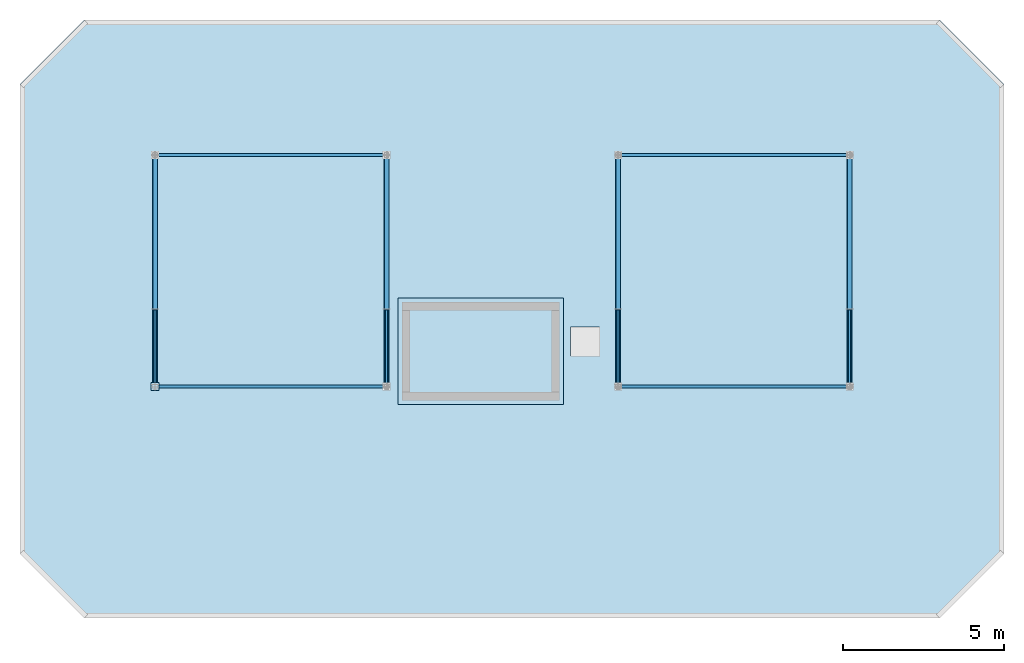
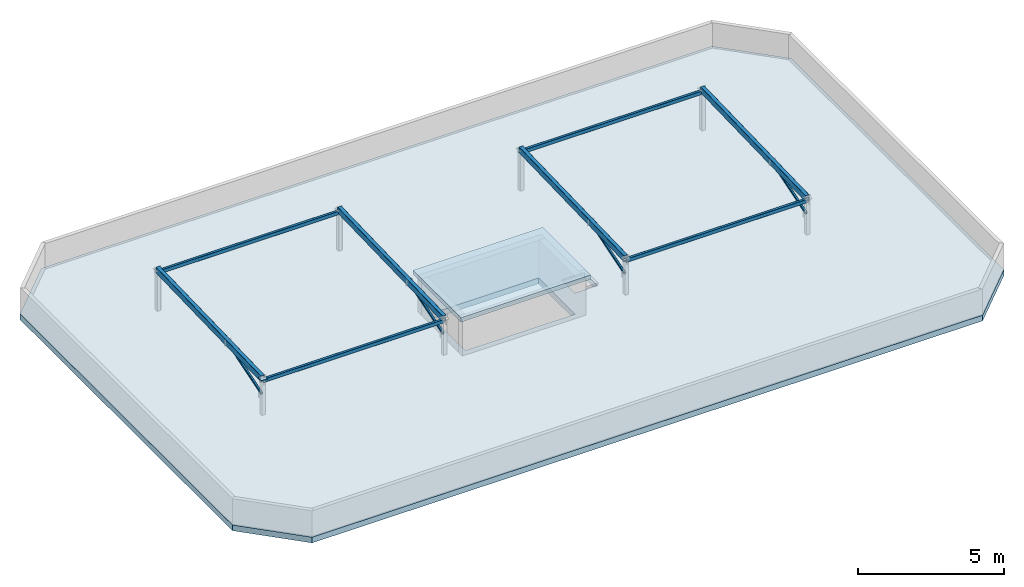
# One storey, part 3 of 7: 12 members, 2 slabs, 1 plate.
"""IFC4 building model written with IfcOpenShell, lengths in metres."""

from ifc_helpers import new_model, si_unit, direction, frame, origin, origin_2d, place, context, subcontext, project, spatial, polyline, rectangle, hollow_rectangle, outline, extrude, material, layer, layer_set, material_profile, profile_set, type_object, element, save


model = new_model("IFC4")

# Units and contexts
model_context = context("Model", 3, precision=1e-05, world=origin(), true_north=direction((0.0, 1.0)))
body_context = subcontext(model_context, "Body", "Model", "MODEL_VIEW")
ifc_project = project(units=[si_unit("LENGTHUNIT", "METRE"), si_unit("AREAUNIT", "SQUARE_METRE"), si_unit("VOLUMEUNIT", "CUBIC_METRE"), si_unit("PLANEANGLEUNIT", "RADIAN"), si_unit("MASSUNIT", "GRAM", prefix="KILO")], contexts=[model_context])

# Site, building, storey
site_placement = place(None, origin())
site = spatial("IfcSite", under=ifc_project, at=site_placement, CompositionType="ELEMENT")
building_placement = place(site_placement, origin())
building = spatial("IfcBuilding", under=site, at=building_placement, Name="Ochrevale Crest", CompositionType="ELEMENT")
storey_placement = place(building_placement, frame((0.0, 0.0, 52.800048828125)))
storey = spatial("IfcBuildingStorey", under=building, at=storey_placement, Name="RF", CompositionType="ELEMENT", Elevation=52.800048828125)

# Members
ifc_material_1 = material(Name="Steel S355", Category="steel")
ifc_material_profile_1 = material_profile(ifc_material_1, hollow_rectangle(XDim=0.10009765625, YDim=0.14990234375, WallThickness=0.0048828125, InnerFilletRadius=0.0048828125, OuterFilletRadius=0.010009765625, at=origin_2d()), Name="150x100x5.0RHS")
ifc_profile_set_1 = profile_set([ifc_material_profile_1], Name="Steel S355")
member_type_1 = type_object("IfcMemberType", Name="MEM-RHS150-PR", PredefinedType="PURLIN", material=ifc_profile_set_1)
for number, where, z_axis, x_axis, name in (
    (1, (136.800048828125, 79.199951171875, 1.43994140625), (1.0, 0.0, 0.0), (0.0, 1.0, 0.0), "Block D solar-frame purlin W"),
    (2, (136.800048828125, 86.39990234375, 1.619873046875), (1.0, 0.0, 0.0), (0.0, 1.0, 0.0), "Block D solar-frame purlin W"),
    (3, (151.199951171875, 79.199951171875, 1.43994140625), (1.0, 0.0, 0.0), (0.0, 1.0, 0.0), "Block D solar-frame purlin E"),
    (4, (151.199951171875, 86.39990234375, 1.619873046875), (1.0, 0.0, 0.0), (0.0, 1.0, 0.0), "Block D solar-frame purlin E"),
):
    element("IfcMember", number, at=place(storey_placement, frame(where, z_axis=z_axis, x_axis=x_axis)), inside=storey, type_object=member_type_1, Name=name, PredefinedType="PURLIN", context=body_context, shape_type="SweptSolid", body=[
        extrude(hollow_rectangle(XDim=0.10009765625, YDim=0.14990234375, WallThickness=0.0048828125, InnerFilletRadius=0.0048828125, OuterFilletRadius=0.010009765625, at=origin_2d()), origin(), (0.0, 0.0, 1.0), 7.199951171875),
    ])
ifc_material_profile_2 = material_profile(ifc_material_1, hollow_rectangle(XDim=0.14990234375, YDim=0.25, WallThickness=0.006103515625, InnerFilletRadius=0.006103515625, OuterFilletRadius=0.011962890625, at=origin_2d()), Name="250x150x6.0RHS")
ifc_profile_set_2 = profile_set([ifc_material_profile_2], Name="Steel S355")
member_type_2 = type_object("IfcMemberType", Name="MEM-RHS250-RF", PredefinedType="RAFTER", material=ifc_profile_set_2)
for number, where, z_axis, x_axis, name in (
    (5, (136.800048828125, 79.199951171875, 1.52001953125), (0.0, 0.999614603568, 0.027760481514), (-1.0, 0.0, 0.0), "Block D solar-frame array rafter 1"),
    (6, (144.0, 79.199951171875, 1.52001953125), (0.0, 0.999614603568, 0.027760481514), (-1.0, 0.0, 0.0), "Block D solar-frame array rafter 2"),
    (7, (151.199951171875, 79.199951171875, 1.52001953125), (0.0, 0.999614603568, 0.027760481514), (-1.0, 0.0, 0.0), "Block D solar-frame array rafter 3"),
    (8, (158.39990234375, 79.199951171875, 1.52001953125), (0.0, 0.999614603568, 0.027760481514), (-1.0, 0.0, 0.0), "Block D solar-frame array rafter 4"),
):
    element("IfcMember", number, at=place(storey_placement, frame(where, z_axis=z_axis, x_axis=x_axis)), inside=storey, type_object=member_type_2, Name=name, PredefinedType="RAFTER", context=body_context, shape_type="SweptSolid", body=[
        extrude(hollow_rectangle(XDim=0.14990234375, YDim=0.25, WallThickness=0.006103515625, InnerFilletRadius=0.006103515625, OuterFilletRadius=0.011962890625, at=origin_2d()), origin(), (0.0, 0.0, 1.0), 7.20263671875),
    ])
ifc_material_profile_3 = material_profile(ifc_material_1, hollow_rectangle(XDim=0.074951171875, YDim=0.074951171875, WallThickness=0.0048828125, InnerFilletRadius=0.0048828125, OuterFilletRadius=0.010009765625, at=origin_2d()), Name="75x75x5.0SHS")
ifc_profile_set_3 = profile_set([ifc_material_profile_3], Name="Steel S355")
member_type_3 = type_object("IfcMemberType", Name="MEM-SHS75-ST", PredefinedType="STRUT", material=ifc_profile_set_3)
for number, where, z_axis, x_axis, name in (
    (9, (136.800048828125, 79.27001953125, 0.849853515625), (0.0, 0.953665688331, 0.300868334824), (-1.0, 0.0, 0.0), "Block D solar-frame knee-brace strut 1"),
    (10, (144.0, 79.27001953125, 0.849853515625), (0.0, 0.953665688331, 0.300868334824), (-1.0, 0.0, 0.0), "Block D solar-frame knee-brace strut 2"),
    (11, (151.199951171875, 79.27001953125, 0.849853515625), (0.0, 0.953665688331, 0.300868334824), (-1.0, 0.0, 0.0), "Block D solar-frame knee-brace strut 3"),
    (12, (158.39990234375, 79.27001953125, 0.849853515625), (0.0, 0.953665688331, 0.300868334824), (-1.0, 0.0, 0.0), "Block D solar-frame knee-brace strut 4"),
):
    element("IfcMember", number, at=place(storey_placement, frame(where, z_axis=z_axis, x_axis=x_axis)), inside=storey, type_object=member_type_3, Name=name, PredefinedType="STRUT", context=body_context, shape_type="SweptSolid", body=[
        extrude(hollow_rectangle(XDim=0.074951171875, YDim=0.074951171875, WallThickness=0.0048828125, InnerFilletRadius=0.0048828125, OuterFilletRadius=0.010009765625, at=origin_2d()), origin(), (0.0, 0.0, 1.0), 2.443359375),
    ])

# Plate
ifc_layer_1 = layer(ifc_material_1, 0.01611328125)
ifc_layer_set_1 = layer_set([ifc_layer_1], Name="Steel S355")
plate_type = type_object("IfcPlateType", Name="PLT-CAP-16", PredefinedType="USERDEFINED", material=ifc_layer_set_1)
plate_placement = place(storey_placement, frame((136.800048828125, 79.199951171875, 1.519775390625), z_axis=(0.0, 0.0, 1.0), x_axis=(1.0, 0.0, 0.0)))
element("IfcPlate", 13, at=plate_placement, inside=storey, type_object=plate_type, Name="Block D solar-frame support post welded end cap plate CE", ObjectType="CAP PLATE", PredefinedType="USERDEFINED", context=body_context, shape_type="SweptSolid", body=[
    extrude(rectangle(XDim=0.239990234375, YDim=0.239990234375, at=origin_2d()), origin(), (0.0, 0.0, 1.0), 0.01611328125),
])

# Slabs
ifc_material_2 = material(Name="Precast concrete C40/50", Category="concrete")
ifc_layer_2 = layer(ifc_material_2, 0.239990234375)
ifc_layer_set_2 = layer_set([ifc_layer_2], Name="Precast concrete C40/50")
slab_type_1 = type_object("IfcSlabType", Name="SLB-ROOF-240", PredefinedType="ROOF", material=ifc_layer_set_2)
slab_1_placement = place(storey_placement, frame((0.0, 0.0, -0.239990234375)))
element("IfcSlab", 14, at=slab_1_placement, inside=storey, type_object=slab_type_1, Name="Block D RF main insulated precast roof slab", PredefinedType="ROOF", context=body_context, shape_type="SweptSolid", body=[
    extrude(outline(polyline([(134.60009765625, 72.0), (161.199951171875, 72.0), (163.199951171875, 74.0), (163.199951171875, 88.60009765625), (161.199951171875, 90.60009765625), (134.60009765625, 90.60009765625), (132.60009765625, 88.60009765625), (132.60009765625, 74.0), (134.60009765625, 72.0)]), holes=[polyline([(144.75, 79.050048828125), (149.10009765625, 79.050048828125), (149.10009765625, 81.550048828125), (144.75, 81.550048828125), (144.75, 79.050048828125)]), polyline([(149.72509765625, 80.14990234375), (150.625, 80.14990234375), (150.625, 81.050048828125), (149.72509765625, 81.050048828125), (149.72509765625, 80.14990234375)])]), origin(), (0.0, 0.0, 1.0), 0.239990234375),
])
ifc_material_3 = material(Name="Concrete C40/50", Category="concrete")
ifc_layer_3 = layer(ifc_material_3, 0.179931640625)
ifc_layer_set_3 = layer_set([ifc_layer_3], Name="Concrete C40/50")
slab_type_2 = type_object("IfcSlabType", Name="SLB-ROOF-OVR-180", PredefinedType="ROOF", material=ifc_layer_set_3)
slab_2_placement = place(storey_placement, frame((0.0, 0.0, 1.570068359375)))
element("IfcSlab", 15, at=slab_2_placement, inside=storey, type_object=slab_type_2, Name="Block D lift overrun roof slab", PredefinedType="ROOF", context=body_context, shape_type="SweptSolid", body=[
    extrude(outline(polyline([(144.35009765625, 78.64990234375), (149.5, 78.64990234375), (149.5, 81.949951171875), (144.35009765625, 81.949951171875), (144.35009765625, 78.64990234375)])), origin(), (0.0, 0.0, 1.0), 0.179931640625),
])

save(model, "model.ifc")
